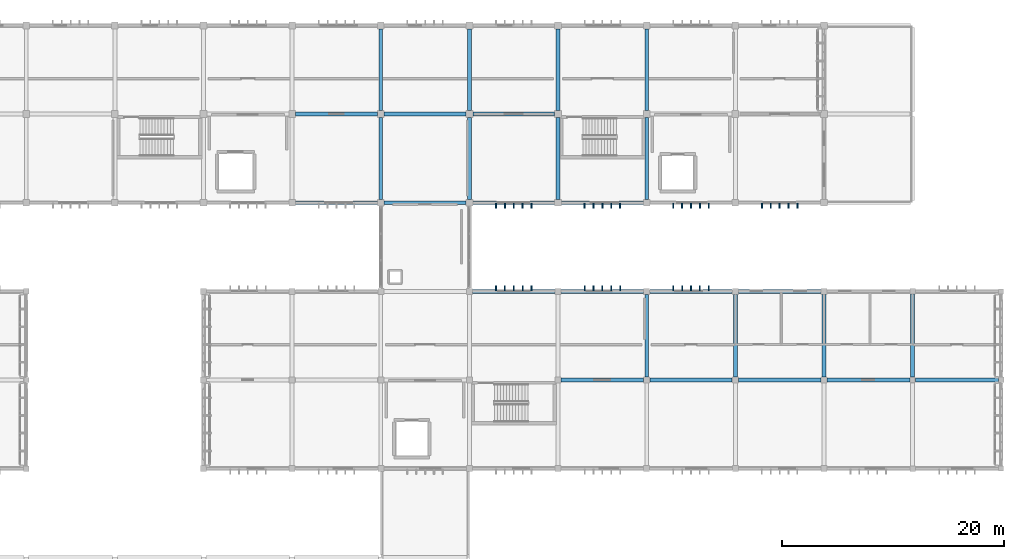
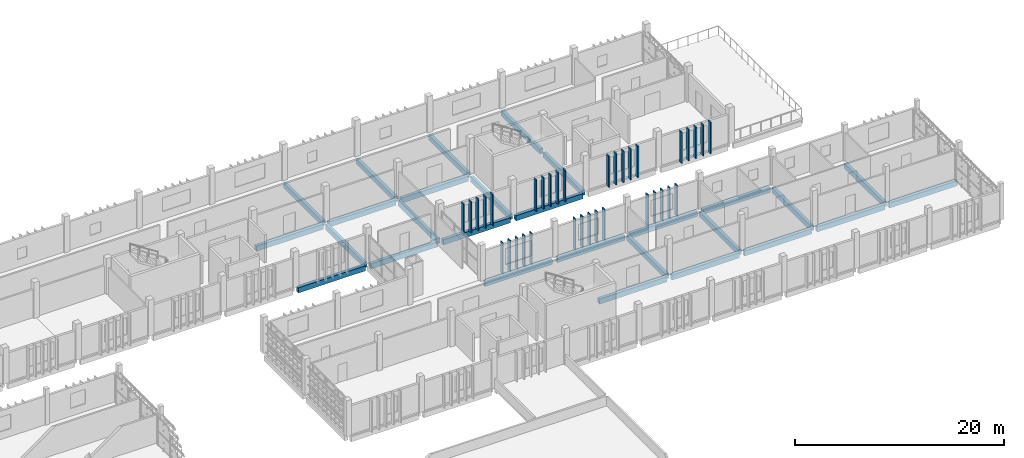
# One storey, part 22 of 48: 35 members, 28 beams.
"""IFC4 building model written with IfcOpenShell, lengths in metres."""

from ifc_helpers import new_model, si_unit, direction, frame, origin, origin_2d, place, context, subcontext, project, spatial, rectangle, extrude, material, material_profile, profile_set, type_object, element, save


model = new_model("IFC4")

# Units and contexts
model_context = context("Model", 3, precision=1e-05, world=origin(), true_north=direction((0.0, 1.0)))
body_context = subcontext(model_context, "Body", "Model", "MODEL_VIEW")
ifc_project = project(units=[si_unit("LENGTHUNIT", "METRE"), si_unit("AREAUNIT", "SQUARE_METRE"), si_unit("VOLUMEUNIT", "CUBIC_METRE"), si_unit("PLANEANGLEUNIT", "RADIAN"), si_unit("MASSUNIT", "GRAM", prefix="KILO")], contexts=[model_context])

# Site, building, storey
site_placement = place(None, origin())
site = spatial("IfcSite", under=ifc_project, at=site_placement, CompositionType="ELEMENT")
building_placement = place(site_placement, origin())
building = spatial("IfcBuilding", under=site, at=building_placement, Name="Jelvoka-Kovrelna Polytechnic", CompositionType="ELEMENT")
storey_placement = place(building_placement, frame((0.0, 0.0, 22.199951171875)))
storey = spatial("IfcBuildingStorey", under=building, at=storey_placement, Name="L06", CompositionType="ELEMENT", Elevation=22.199951171875)

# Beams
ifc_material_1 = material(Name="Concrete C35/45", Category="concrete")
ifc_material_profile_1 = material_profile(ifc_material_1, rectangle(XDim=0.35009765625, YDim=0.60009765625, at=origin_2d()), Name="RC 350x600")
ifc_profile_set_1 = profile_set([ifc_material_profile_1], Name="Concrete C35/45")
beam_type_1 = type_object("IfcBeamType", Name="Beam_RC_350x600", PredefinedType="BEAM", material=ifc_profile_set_1)
for number, where, z_axis, x_axis, name in (
    (1, (160.280029296875, 40.0, -0.5400390625), (1.0, 0.0, 0.0), (0.0, 1.0, 0.0), "L06 beam 1664"),
    (2, (168.280029296875, 40.0, -0.5400390625), (1.0, 0.0, 0.0), (0.0, 1.0, 0.0), "L06 beam 1665"),
    (3, (176.280029296875, 40.0, -0.5400390625), (1.0, 0.0, 0.0), (0.0, 1.0, 0.0), "L06 beam 1666"),
):
    element("IfcBeam", number, at=place(storey_placement, frame(where, z_axis=z_axis, x_axis=x_axis)), inside=storey, type_object=beam_type_1, Name=name, PredefinedType="BEAM", context=body_context, shape_type="SweptSolid", body=[
        extrude(rectangle(XDim=0.35009765625, YDim=0.60009765625, at=origin_2d()), origin(), (0.0, 0.0, 1.0), 7.43994140625),
    ])
beam_1_placement = place(storey_placement, frame((184.280029296875, 40.0, -0.5400390625), z_axis=(1.0, 0.0, 0.0), x_axis=(0.0, 1.0, 0.0)))
element("IfcBeam", 4, at=beam_1_placement, inside=storey, type_object=beam_type_1, Name="L06 beam 1667", PredefinedType="BEAM", context=body_context, shape_type="SweptSolid", body=[
    extrude(rectangle(XDim=0.35009765625, YDim=0.60009765625, at=origin_2d()), origin(), (0.0, 0.0, 1.0), 7.465087890625),
])
beam_2_placement = place(storey_placement, frame((192.2548828125, 40.0, -0.5400390625), z_axis=(1.0, 0.0, 0.0), x_axis=(0.0, 1.0, 0.0)))
element("IfcBeam", 5, at=beam_2_placement, inside=storey, type_object=beam_type_1, Name="L06 beam 1668", PredefinedType="BEAM", context=body_context, shape_type="SweptSolid", body=[
    extrude(rectangle(XDim=0.35009765625, YDim=0.60009765625, at=origin_2d()), origin(), (0.0, 0.0, 1.0), 7.490234375),
])
for number, where, z_axis, x_axis, name in (
    (6, (168.0, 40.280029296875, -0.5400390625), (0.0, 1.0, 0.0), (-1.0, 0.0, 0.0), "L06 beam 1689"),
    (7, (176.0, 40.280029296875, -0.5400390625), (0.0, 1.0, 0.0), (-1.0, 0.0, 0.0), "L06 beam 1691"),
    (8, (184.0, 40.280029296875, -0.5400390625), (0.0, 1.0, 0.0), (-1.0, 0.0, 0.0), "L06 beam 1693"),
):
    element("IfcBeam", number, at=place(storey_placement, frame(where, z_axis=z_axis, x_axis=x_axis)), inside=storey, type_object=beam_type_1, Name=name, PredefinedType="BEAM", context=body_context, shape_type="SweptSolid", body=[
        extrude(rectangle(XDim=0.35009765625, YDim=0.60009765625, at=origin_2d()), origin(), (0.0, 0.0, 1.0), 7.43994140625),
    ])
beam_3_placement = place(storey_placement, frame((192.0, 40.2548828125, -0.5400390625), z_axis=(0.0, 1.0, 0.0), x_axis=(-1.0, 0.0, 0.0)))
element("IfcBeam", 9, at=beam_3_placement, inside=storey, type_object=beam_type_1, Name="L06 beam 1695", PredefinedType="BEAM", context=body_context, shape_type="SweptSolid", body=[
    extrude(rectangle(XDim=0.35009765625, YDim=0.60009765625, at=origin_2d()), origin(), (0.0, 0.0, 1.0), 7.490234375),
])
for number, where, z_axis, x_axis, name in (
    (10, (136.304931640625, 64.0, -0.5400390625), (1.0, 0.0, 0.0), (0.0, 1.0, 0.0), "L06 beam 1740"),
    (11, (144.304931640625, 64.0, -0.5400390625), (1.0, 0.0, 0.0), (0.0, 1.0, 0.0), "L06 beam 1741"),
    (12, (152.304931640625, 64.0, -0.5400390625), (1.0, 0.0, 0.0), (0.0, 1.0, 0.0), "L06 beam 1742"),
    (13, (144.0, 56.304931640625, -0.5400390625), (0.0, 1.0, 0.0), (-1.0, 0.0, 0.0), "L06 beam 1760"),
    (14, (144.0, 64.304931640625, -0.5400390625), (0.0, 1.0, 0.0), (-1.0, 0.0, 0.0), "L06 beam 1761"),
    (15, (152.0, 56.304931640625, -0.5400390625), (0.0, 1.0, 0.0), (-1.0, 0.0, 0.0), "L06 beam 1762"),
    (16, (152.0, 64.304931640625, -0.5400390625), (0.0, 1.0, 0.0), (-1.0, 0.0, 0.0), "L06 beam 1763"),
    (17, (160.0, 56.304931640625, -0.5400390625), (0.0, 1.0, 0.0), (-1.0, 0.0, 0.0), "L06 beam 1764"),
    (18, (160.0, 64.304931640625, -0.5400390625), (0.0, 1.0, 0.0), (-1.0, 0.0, 0.0), "L06 beam 1765"),
    (19, (168.0, 56.304931640625, -0.5400390625), (0.0, 1.0, 0.0), (-1.0, 0.0, 0.0), "L06 beam 1766"),
    (20, (168.0, 64.304931640625, -0.5400390625), (0.0, 1.0, 0.0), (-1.0, 0.0, 0.0), "L06 beam 1767"),
):
    element("IfcBeam", number, at=place(storey_placement, frame(where, z_axis=z_axis, x_axis=x_axis)), inside=storey, type_object=beam_type_1, Name=name, PredefinedType="BEAM", context=body_context, shape_type="SweptSolid", body=[
        extrude(rectangle(XDim=0.35009765625, YDim=0.60009765625, at=origin_2d()), origin(), (0.0, 0.0, 1.0), 7.39013671875),
    ])

# Members
ifc_material_2 = material(Name="Precast concrete C40/50", Category="concrete")
ifc_material_profile_2 = material_profile(ifc_material_2, rectangle(XDim=0.10009765625, YDim=0.449951171875, at=origin_2d()), Name="PC 100x450")
ifc_profile_set_2 = profile_set([ifc_material_profile_2], Name="Precast concrete C40/50")
member_type_1 = type_object("IfcMemberType", Name="Louvre_Fin_100x450", PredefinedType="USERDEFINED", material=ifc_profile_set_2)
for number, where, z_axis, x_axis, name in (
    (21, (154.39990234375, 48.264892578125, -0.27001953125), (0.0, 0.0, 1.0), (1.0, 0.0, 0.0), "L06 B2E north vertical solar louvre fin 1106"),
    (22, (155.199951171875, 48.264892578125, -0.27001953125), (0.0, 0.0, 1.0), (1.0, 0.0, 0.0), "L06 B2E north vertical solar louvre fin 1107"),
    (23, (156.0, 48.264892578125, -0.27001953125), (0.0, 0.0, 1.0), (1.0, 0.0, 0.0), "L06 B2E north vertical solar louvre fin 1108"),
    (24, (156.800048828125, 48.264892578125, -0.27001953125), (0.0, 0.0, 1.0), (1.0, 0.0, 0.0), "L06 B2E north vertical solar louvre fin 1109"),
    (25, (157.60009765625, 48.264892578125, -0.27001953125), (0.0, 0.0, 1.0), (1.0, 0.0, 0.0), "L06 B2E north vertical solar louvre fin 1110"),
    (26, (162.39990234375, 48.264892578125, -0.27001953125), (0.0, 0.0, 1.0), (1.0, 0.0, 0.0), "L06 B2E north vertical solar louvre fin 1116"),
    (27, (163.199951171875, 48.264892578125, -0.27001953125), (0.0, 0.0, 1.0), (1.0, 0.0, 0.0), "L06 B2E north vertical solar louvre fin 1117"),
    (28, (164.0, 48.264892578125, -0.27001953125), (0.0, 0.0, 1.0), (1.0, 0.0, 0.0), "L06 B2E north vertical solar louvre fin 1118"),
    (29, (164.800048828125, 48.264892578125, -0.27001953125), (0.0, 0.0, 1.0), (1.0, 0.0, 0.0), "L06 B2E north vertical solar louvre fin 1119"),
    (30, (165.60009765625, 48.264892578125, -0.27001953125), (0.0, 0.0, 1.0), (1.0, 0.0, 0.0), "L06 B2E north vertical solar louvre fin 1120"),
    (31, (170.39990234375, 48.264892578125, -0.27001953125), (0.0, 0.0, 1.0), (1.0, 0.0, 0.0), "L06 B2E north vertical solar louvre fin 1126"),
    (32, (171.199951171875, 48.264892578125, -0.27001953125), (0.0, 0.0, 1.0), (1.0, 0.0, 0.0), "L06 B2E north vertical solar louvre fin 1127"),
    (33, (172.0, 48.264892578125, -0.27001953125), (0.0, 0.0, 1.0), (1.0, 0.0, 0.0), "L06 B2E north vertical solar louvre fin 1128"),
    (34, (172.800048828125, 48.264892578125, -0.27001953125), (0.0, 0.0, 1.0), (1.0, 0.0, 0.0), "L06 B2E north vertical solar louvre fin 1129"),
    (35, (173.60009765625, 48.264892578125, -0.27001953125), (0.0, 0.0, 1.0), (1.0, 0.0, 0.0), "L06 B2E north vertical solar louvre fin 1130"),
):
    element("IfcMember", number, at=place(storey_placement, frame(where, z_axis=z_axis, x_axis=x_axis)), inside=storey, type_object=member_type_1, Name=name, ObjectType="SUNSHADE", PredefinedType="USERDEFINED", context=body_context, shape_type="SweptSolid", body=[
        extrude(rectangle(XDim=0.10009765625, YDim=0.449951171875, at=origin_2d()), origin(), (0.0, 0.0, 1.0), 3.655029296875),
    ])
ifc_material_3 = material(Name="Precast concrete C40/50", Category="concrete")
ifc_material_profile_3 = material_profile(ifc_material_3, rectangle(XDim=0.1201171875, YDim=0.449951171875, at=origin_2d()), Name="PC 120x450")
ifc_profile_set_3 = profile_set([ifc_material_profile_3], Name="Precast concrete C40/50")
member_type_2 = type_object("IfcMemberType", Name="Louvre_Fin_120x450", PredefinedType="USERDEFINED", material=ifc_profile_set_3)
for number, where, z_axis, x_axis, name in (
    (36, (154.39990234375, 55.735107421875, -0.27001953125), (0.0, 0.0, 1.0), (1.0, 0.0, 0.0), "L06 B3 south vertical solar louvre fin 2041"),
    (37, (155.199951171875, 55.735107421875, -0.27001953125), (0.0, 0.0, 1.0), (1.0, 0.0, 0.0), "L06 B3 south vertical solar louvre fin 2042"),
    (38, (156.0, 55.735107421875, -0.27001953125), (0.0, 0.0, 1.0), (1.0, 0.0, 0.0), "L06 B3 south vertical solar louvre fin 2043"),
    (39, (156.800048828125, 55.735107421875, -0.27001953125), (0.0, 0.0, 1.0), (1.0, 0.0, 0.0), "L06 B3 south vertical solar louvre fin 2044"),
    (40, (157.60009765625, 55.735107421875, -0.27001953125), (0.0, 0.0, 1.0), (1.0, 0.0, 0.0), "L06 B3 south vertical solar louvre fin 2045"),
    (41, (162.39990234375, 55.735107421875, -0.27001953125), (0.0, 0.0, 1.0), (1.0, 0.0, 0.0), "L06 B3 south vertical solar louvre fin 2051"),
    (42, (163.199951171875, 55.735107421875, -0.27001953125), (0.0, 0.0, 1.0), (1.0, 0.0, 0.0), "L06 B3 south vertical solar louvre fin 2052"),
    (43, (164.0, 55.735107421875, -0.27001953125), (0.0, 0.0, 1.0), (1.0, 0.0, 0.0), "L06 B3 south vertical solar louvre fin 2053"),
    (44, (164.800048828125, 55.735107421875, -0.27001953125), (0.0, 0.0, 1.0), (1.0, 0.0, 0.0), "L06 B3 south vertical solar louvre fin 2054"),
    (45, (165.60009765625, 55.735107421875, -0.27001953125), (0.0, 0.0, 1.0), (1.0, 0.0, 0.0), "L06 B3 south vertical solar louvre fin 2055"),
    (46, (170.39990234375, 55.735107421875, -0.27001953125), (0.0, 0.0, 1.0), (1.0, 0.0, 0.0), "L06 B3 south vertical solar louvre fin 2061"),
    (47, (171.199951171875, 55.735107421875, -0.27001953125), (0.0, 0.0, 1.0), (1.0, 0.0, 0.0), "L06 B3 south vertical solar louvre fin 2062"),
    (48, (172.0, 55.735107421875, -0.27001953125), (0.0, 0.0, 1.0), (1.0, 0.0, 0.0), "L06 B3 south vertical solar louvre fin 2063"),
    (49, (172.800048828125, 55.735107421875, -0.27001953125), (0.0, 0.0, 1.0), (1.0, 0.0, 0.0), "L06 B3 south vertical solar louvre fin 2064"),
    (50, (173.60009765625, 55.735107421875, -0.27001953125), (0.0, 0.0, 1.0), (1.0, 0.0, 0.0), "L06 B3 south vertical solar louvre fin 2065"),
    (51, (178.39990234375, 55.735107421875, -0.27001953125), (0.0, 0.0, 1.0), (1.0, 0.0, 0.0), "L06 B3 south vertical solar louvre fin 2071"),
    (52, (179.199951171875, 55.735107421875, -0.27001953125), (0.0, 0.0, 1.0), (1.0, 0.0, 0.0), "L06 B3 south vertical solar louvre fin 2072"),
    (53, (180.0, 55.735107421875, -0.27001953125), (0.0, 0.0, 1.0), (1.0, 0.0, 0.0), "L06 B3 south vertical solar louvre fin 2073"),
    (54, (180.800048828125, 55.735107421875, -0.27001953125), (0.0, 0.0, 1.0), (1.0, 0.0, 0.0), "L06 B3 south vertical solar louvre fin 2074"),
    (55, (181.60009765625, 55.735107421875, -0.27001953125), (0.0, 0.0, 1.0), (1.0, 0.0, 0.0), "L06 B3 south vertical solar louvre fin 2075"),
):
    element("IfcMember", number, at=place(storey_placement, frame(where, z_axis=z_axis, x_axis=x_axis)), inside=storey, type_object=member_type_2, Name=name, ObjectType="SUNSHADE", PredefinedType="USERDEFINED", context=body_context, shape_type="SweptSolid", body=[
        extrude(rectangle(XDim=0.1201171875, YDim=0.449951171875, at=origin_2d()), origin(), (0.0, 0.0, 1.0), 3.655029296875),
    ])

# Beams
ifc_material_4 = material(Name="Concrete C40/50", Category="concrete")
ifc_material_profile_4 = material_profile(ifc_material_4, rectangle(XDim=0.35009765625, YDim=0.60009765625, at=origin_2d()), Name="RC 350x600")
ifc_profile_set_4 = profile_set([ifc_material_profile_4], Name="Concrete C40/50")
beam_type_2 = type_object("IfcBeamType", Name="Spandrel_RC_350x600", PredefinedType="SPANDREL", material=ifc_profile_set_4)
for number, where, z_axis, x_axis, name in (
    (56, (152.280029296875, 48.0, -0.5400390625), (1.0, 0.0, 0.0), (0.0, 1.0, 0.0), "L06 beam 1672"),
    (57, (160.280029296875, 48.0, -0.5400390625), (1.0, 0.0, 0.0), (0.0, 1.0, 0.0), "L06 beam 1673"),
    (58, (168.280029296875, 48.0, -0.5400390625), (1.0, 0.0, 0.0), (0.0, 1.0, 0.0), "L06 beam 1674"),
    (59, (176.280029296875, 48.0, -0.5400390625), (1.0, 0.0, 0.0), (0.0, 1.0, 0.0), "L06 beam 1675"),
):
    element("IfcBeam", number, at=place(storey_placement, frame(where, z_axis=z_axis, x_axis=x_axis)), inside=storey, type_object=beam_type_2, Name=name, PredefinedType="SPANDREL", context=body_context, shape_type="SweptSolid", body=[
        extrude(rectangle(XDim=0.35009765625, YDim=0.60009765625, at=origin_2d()), origin(), (0.0, 0.0, 1.0), 7.43994140625),
    ])
for number, where, z_axis, x_axis, name in (
    (60, (136.304931640625, 56.0, -0.5400390625), (1.0, 0.0, 0.0), (0.0, 1.0, 0.0), "L06 beam 1732"),
    (61, (144.304931640625, 56.0, -0.5400390625), (1.0, 0.0, 0.0), (0.0, 1.0, 0.0), "L06 beam 1733"),
    (62, (152.304931640625, 56.0, -0.5400390625), (1.0, 0.0, 0.0), (0.0, 1.0, 0.0), "L06 beam 1734"),
    (63, (160.304931640625, 56.0, -0.5400390625), (1.0, 0.0, 0.0), (0.0, 1.0, 0.0), "L06 beam 1735"),
):
    element("IfcBeam", number, at=place(storey_placement, frame(where, z_axis=z_axis, x_axis=x_axis)), inside=storey, type_object=beam_type_2, Name=name, PredefinedType="SPANDREL", context=body_context, shape_type="SweptSolid", body=[
        extrude(rectangle(XDim=0.35009765625, YDim=0.60009765625, at=origin_2d()), origin(), (0.0, 0.0, 1.0), 7.39013671875),
    ])

save(model, "model.ifc")
